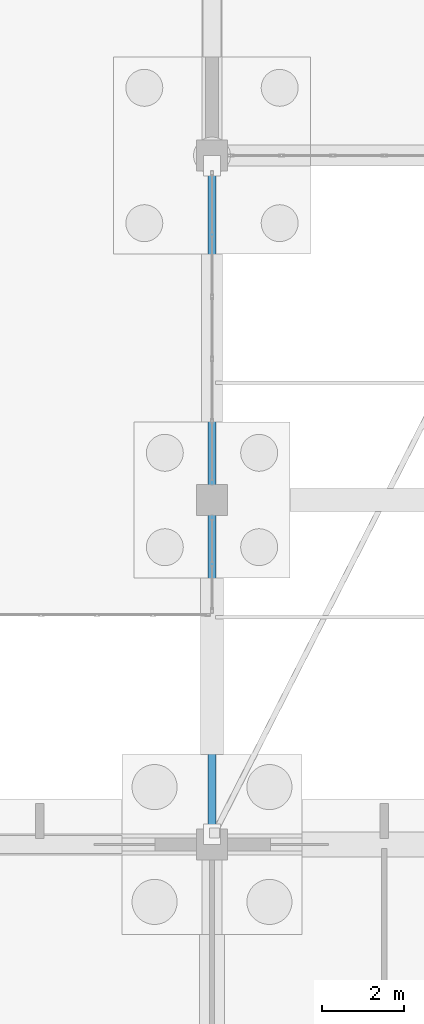
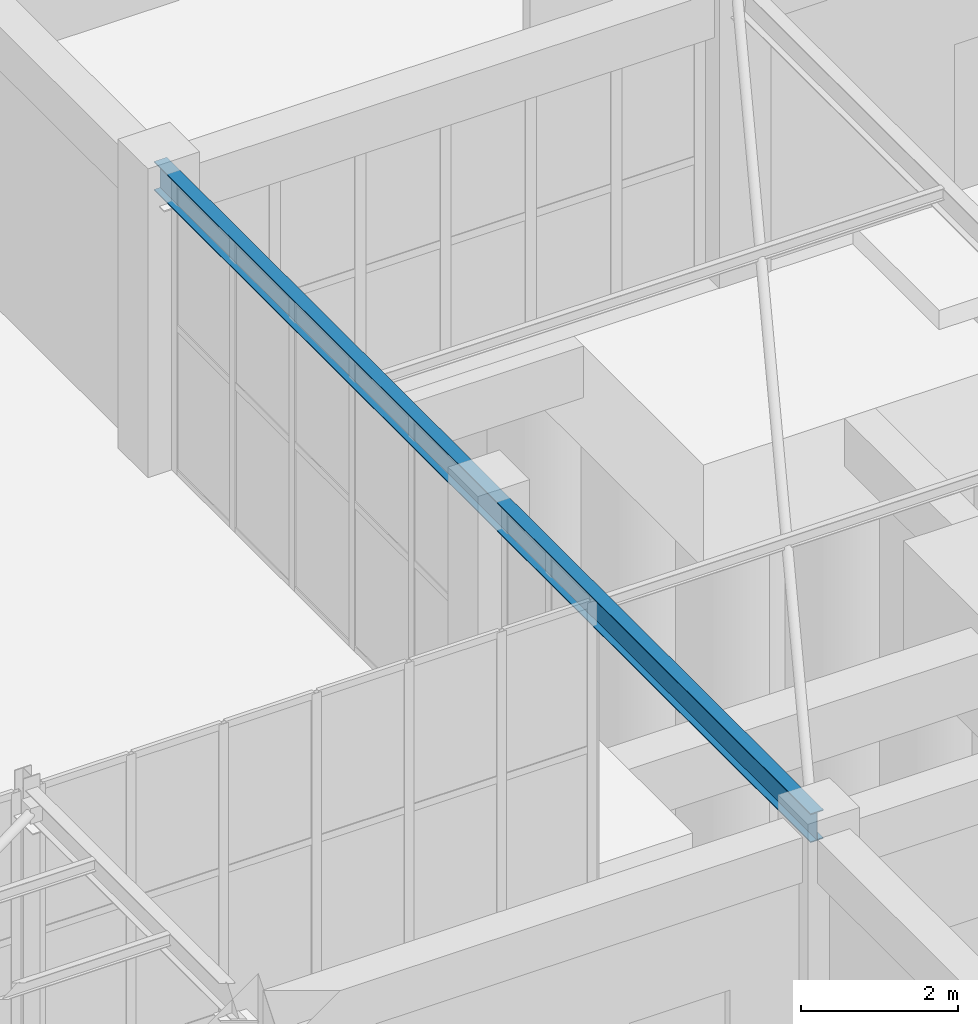
# One storey, part 60 of 192: 1 beam.
"""IFC4 building model written with IfcOpenShell, lengths in metres."""

import ifcopenshell
import ifcopenshell.guid

model = None  # the IFC model being written
_history = None  # IfcOwnerHistory: only IFC2X3 demands one
_inside = {}  # id of a spatial element -> (the spatial element, [elements in it])
_under = {}  # id of a project, library or spatial element -> (it, [spatial elements below it])
_declared = {}  # id of a project -> (the project, [libraries it declares])
_typed = {}  # id of a type object -> (the type object, [elements of that type])
_made_of = {}  # id of a material, layer set ... -> (it, [elements and type objects made of it])


def new_model(schema):
    """Start an empty IFC model of exactly this schema.

    Asked for "IFC4X3", IfcOpenShell would pick the latest addendum, in which some entities
    have other attributes; the version numbers below select the first issue.
    IFC2X3 requires an IfcOwnerHistory on every rooted entity: one is made here for all.
    """
    global model, _history
    if schema == "IFC4X3":
        model = ifcopenshell.file(schema_version=(4, 3, 0, 0))
    else:
        model = ifcopenshell.file(schema=schema)
    _inside.clear()
    _under.clear()
    _declared.clear()
    _typed.clear()
    _made_of.clear()
    _history = None
    if model.schema == "IFC2X3":
        org = make("IfcOrganization", Name="unknown")
        user = make(
            "IfcPersonAndOrganization",
            ThePerson=make("IfcPerson", FamilyName="unknown"),
            TheOrganization=org,
        )
        app = make(
            "IfcApplication",
            ApplicationDeveloper=org,
            Version="unknown",
            ApplicationFullName="unknown",
            ApplicationIdentifier="unknown",
        )
        _history = make(
            "IfcOwnerHistory",
            OwningUser=user,
            OwningApplication=app,
            ChangeAction="ADDED",
            CreationDate=0,
        )
    return model


def make(cls, **values):
    """One entity of the class cls with the attributes given. An attribute that is None is left unset."""
    return model.create_entity(
        cls, **{name: value for name, value in values.items() if value is not None}
    )


def rooted(cls, **values):
    """An entity with a GlobalId (a new one), such as an element, a storey or a relation."""
    return make(cls, GlobalId=ifcopenshell.guid.new(), OwnerHistory=_history, **values)


def si_unit(unit_type, name, prefix=None):
    """IfcSIUnit, for example si_unit("LENGTHUNIT", "METRE", prefix="MILLI")."""
    return make("IfcSIUnit", UnitType=unit_type, Prefix=prefix, Name=name)


def assignment(units):
    """IfcUnitAssignment: the units of a project."""
    return None if units is None else make("IfcUnitAssignment", Units=units)


def point(xyz):
    """IfcCartesianPoint."""
    return None if xyz is None else make("IfcCartesianPoint", Coordinates=xyz)


def direction(xyz):
    """IfcDirection."""
    return None if xyz is None else make("IfcDirection", DirectionRatios=xyz)


def frame(location, z_axis=None, x_axis=None):
    """IfcAxis2Placement3D, a coordinate frame: its origin and axes. An axis left out is left unset."""
    return make(
        "IfcAxis2Placement3D",
        Location=point(location),
        Axis=direction(z_axis),
        RefDirection=direction(x_axis),
    )


def frame_2d(location, x_axis=None):
    """IfcAxis2Placement2D, a coordinate frame in the plane: its origin and x axis."""
    return make(
        "IfcAxis2Placement2D", Location=point(location), RefDirection=direction(x_axis)
    )


def origin():
    """The frame at (0, 0, 0) with its axes left unset."""
    return frame((0.0, 0.0, 0.0))


def origin_2d():
    """The frame at (0, 0) in the plane with its x axis left unset."""
    return frame_2d((0.0, 0.0))


def place(relative_to, where):
    """IfcLocalPlacement: puts the frame where relative to a parent placement (None: the world)."""
    return make(
        "IfcLocalPlacement", PlacementRelTo=relative_to, RelativePlacement=where
    )


def context(
    kind, dimensions, precision=None, world=None, true_north=None, identifier=None
):
    """IfcGeometricRepresentationContext, for example the 3D "Model" context."""
    return make(
        "IfcGeometricRepresentationContext",
        ContextIdentifier=identifier,
        ContextType=kind,
        CoordinateSpaceDimension=dimensions,
        Precision=precision,
        WorldCoordinateSystem=world,
        TrueNorth=true_north,
    )


def subcontext(parent, identifier, kind, view, scale=None):
    """IfcGeometricRepresentationSubContext, for example "Body" below "Model"."""
    return make(
        "IfcGeometricRepresentationSubContext",
        ContextIdentifier=identifier,
        ContextType=kind,
        ParentContext=parent,
        TargetScale=scale,
        TargetView=view,
    )


def project(units=None, contexts=None):
    """IfcProject with its units and contexts."""
    return rooted(
        "IfcProject",
        Name="project",
        RepresentationContexts=contexts,
        UnitsInContext=assignment(units),
    )


def spatial(cls, under=None, at=None, **own):
    """A site, building, storey or space (cls), placed at a placement, below another one or the project."""
    s = rooted(cls, ObjectPlacement=at, **own)
    if under is not None:
        _under.setdefault(under.id(), (under, []))[1].append(s)
    return s


def profile(cls, at=None, kind="AREA", **sizes):
    """A parametric profile (cls). Its sizes go by their IFC names, for example OverallWidth=200.0."""
    return make(cls, ProfileType=kind, Position=at, **sizes)


def i_section(**sizes):
    """IfcIShapeProfileDef."""
    return profile("IfcIShapeProfileDef", **sizes)


def extrude(swept, where, along, depth):
    """IfcExtrudedAreaSolid: the profile swept, set in the frame where, extruded along a direction by depth."""
    return make(
        "IfcExtrudedAreaSolid",
        SweptArea=swept,
        Position=where,
        ExtrudedDirection=direction(along),
        Depth=depth,
    )


def shape(context_of_items, identifier, shape_type, items):
    """IfcShapeRepresentation: the items that make up one representation, for example the "Body"."""
    return make(
        "IfcShapeRepresentation",
        ContextOfItems=context_of_items,
        RepresentationIdentifier=identifier,
        RepresentationType=shape_type,
        Items=items,
    )


def material(Name=None, Category=None):
    """IfcMaterial."""
    return make("IfcMaterial", Name=Name, Category=Category)


def material_profile(
    of_material, cross_section, Name=None, Category=None, Priority=None
):
    """IfcMaterialProfile: a cross section and its material."""
    return make(
        "IfcMaterialProfile",
        Name=Name,
        Material=of_material,
        Profile=cross_section,
        Priority=Priority,
        Category=Category,
    )


def profile_set(profiles, Name=None, composite=None):
    """IfcMaterialProfileSet."""
    return make(
        "IfcMaterialProfileSet",
        Name=Name,
        MaterialProfiles=profiles,
        CompositeProfile=composite,
    )


def made_of(thing, what):
    """Note that an element or type object is made of a material, layer set ...; save() writes the relation."""
    if what is not None:
        _made_of.setdefault(what.id(), (what, []))[1].append(thing)
    return thing


def type_object(cls, material=None, **own):
    """A type object (cls), such as IfcWallType, which elements share."""
    return made_of(rooted(cls, **own), material)


def element(
    cls,
    number,
    at=None,
    inside=None,
    cuts=None,
    type_object=None,
    material=None,
    context=None,
    identifier="Body",
    shape_type=None,
    held_by="IfcProductDefinitionShape",
    body=None,
    shapes=None,
    **own,
):
    """One element of the class cls, such as IfcWall. Its Tag is "e" and its number.

    at: its placement. inside: the storey or other place that contains it. cuts: it is an
    opening in that element (IfcRelVoidsElement). A single representation is given by context,
    identifier, shape_type and body (its items); several are given by shapes. held_by: the class
    of the entity that holds the representations. save() writes the other relations.
    """
    e = rooted(cls, Tag="e%d" % number, ObjectPlacement=at, **own)
    if body is not None:
        shapes = [shape(context, identifier, shape_type, body)]
    if shapes is not None:
        e.Representation = make(held_by, Representations=shapes)
    if inside is not None:
        _inside.setdefault(inside.id(), (inside, []))[1].append(e)
    if cuts is not None:
        rooted(
            "IfcRelVoidsElement", RelatingBuildingElement=cuts, RelatedOpeningElement=e
        )
    if type_object is not None:
        _typed.setdefault(type_object.id(), (type_object, []))[1].append(e)
    return made_of(e, material)


def aggregate(whole, parts):
    """IfcRelAggregates: a whole, such as a stair, and the parts it consists of."""
    return rooted("IfcRelAggregates", RelatingObject=whole, RelatedObjects=parts)


def save(model, path):
    """Write the relations noted so far, then the file.

    IfcRelAggregates (storeys below a building ...), IfcRelContainedInSpatialStructure (elements
    in a storey), IfcRelDefinesByType, IfcRelAssociatesMaterial and IfcRelDeclares: one each for
    every whole, place, type object, material and project.
    """
    for whole, parts in _under.values():
        aggregate(whole, parts)
    for where, things in _inside.values():
        rooted(
            "IfcRelContainedInSpatialStructure",
            RelatedElements=things,
            RelatingStructure=where,
        )
    for kind, things in _typed.values():
        rooted("IfcRelDefinesByType", RelatedObjects=things, RelatingType=kind)
    for what, things in _made_of.values():
        rooted("IfcRelAssociatesMaterial", RelatedObjects=things, RelatingMaterial=what)
    for by, libraries in _declared.values():
        rooted("IfcRelDeclares", RelatingContext=by, RelatedDefinitions=libraries)
    model.write(path)


model = new_model("IFC4")

# Units and contexts
model_context = context("Model", 3, precision=1e-05, world=origin(), true_north=direction((0.0, 1.0)))
body_context = subcontext(model_context, "Body", "Model", "MODEL_VIEW")
ifc_project = project(units=[si_unit("LENGTHUNIT", "METRE"), si_unit("AREAUNIT", "SQUARE_METRE"), si_unit("VOLUMEUNIT", "CUBIC_METRE"), si_unit("PLANEANGLEUNIT", "RADIAN"), si_unit("MASSUNIT", "GRAM", prefix="KILO")], contexts=[model_context])

# Site, building, storey
site_placement = place(None, origin())
site = spatial("IfcSite", under=ifc_project, at=site_placement, CompositionType="ELEMENT")
building_placement = place(site_placement, origin())
building = spatial("IfcBuilding", under=site, at=building_placement, Name="Trelvath General Hospital", CompositionType="ELEMENT")
storey_placement = place(building_placement, origin())
storey = spatial("IfcBuildingStorey", under=building, at=storey_placement, Name="L00", CompositionType="ELEMENT", Elevation=0.0)

# Beam
ifc_material = material(Name="Steel S355", Category="steel")
ifc_material_profile = material_profile(ifc_material, i_section(OverallWidth=0.18994140625, OverallDepth=0.449951171875, WebThickness=0.009521484375, FlangeThickness=0.0146484375, at=origin_2d()), Name="IPE450")
ifc_profile_set = profile_set([ifc_material_profile], Name="Steel S355")
beam_type = type_object("IfcBeamType", Name="BridgeGirder IPE450", PredefinedType="BEAM", material=ifc_profile_set)
beam_placement = place(storey_placement, frame((75.60009765625, 25.239990234375, 4.385009765625), z_axis=(0.0, 1.0, 0.0), x_axis=(-1.0, 0.0, 0.0)))
element("IfcBeam", 1, at=beam_placement, inside=storey, type_object=beam_type, Name="Bridge Girder BRG-S-C W L01", PredefinedType="BEAM", context=body_context, shape_type="SweptSolid", body=[
    extrude(i_section(OverallWidth=0.18994140625, OverallDepth=0.449951171875, WebThickness=0.009521484375, FlangeThickness=0.0146484375, at=origin_2d()), origin(), (0.0, 0.0, 1.0), 16.719970703125),
])

save(model, "model.ifc")
